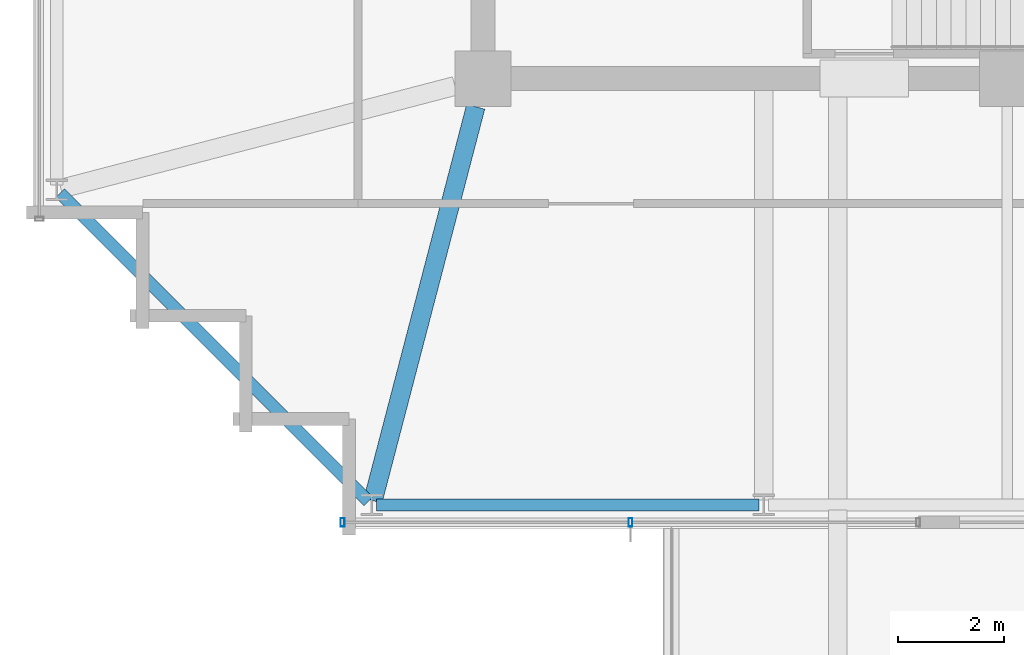
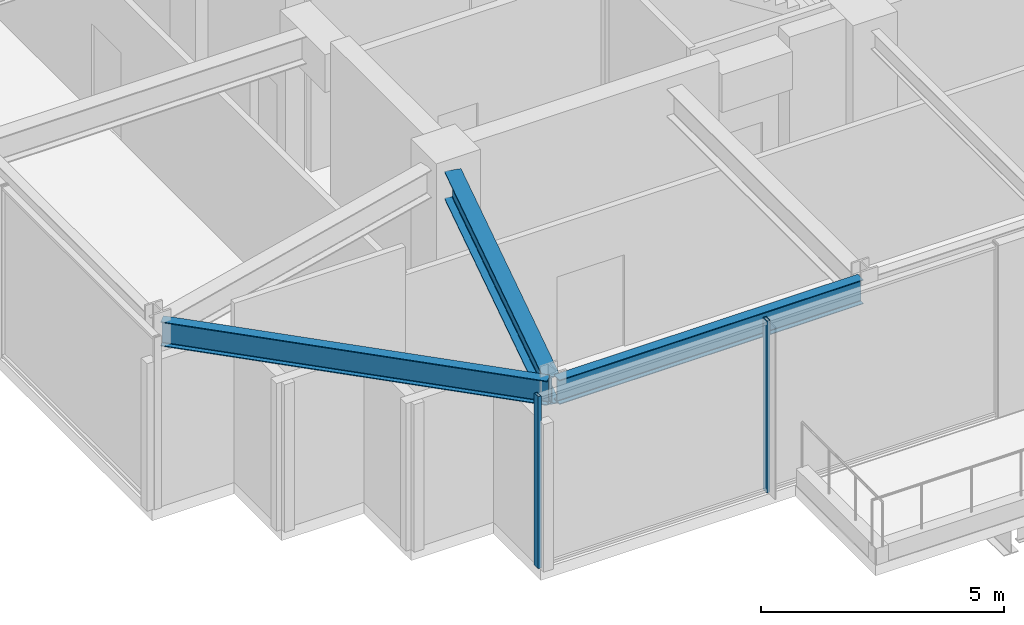
# One storey, part 2 of 30: 3 beams, 2 members, 1 element without a shape of its own.
"""IFC4 building model written with IfcOpenShell, lengths in metres."""

from ifc_helpers import new_model, si_unit, direction, frame, origin, origin_2d, place, context, subcontext, project, spatial, hollow_rectangle, i_section, extrude, material, material_profile, profile_set, type_object, element, aggregate, save


model = new_model("IFC4")

# Units and contexts
model_context = context("Model", 3, precision=1e-05, world=origin(), true_north=direction((0.0, 1.0)))
body_context = subcontext(model_context, "Body", "Model", "MODEL_VIEW")
ifc_project = project(units=[si_unit("LENGTHUNIT", "METRE"), si_unit("AREAUNIT", "SQUARE_METRE"), si_unit("VOLUMEUNIT", "CUBIC_METRE"), si_unit("PLANEANGLEUNIT", "RADIAN"), si_unit("MASSUNIT", "GRAM", prefix="KILO")], contexts=[model_context])

# Site, building, storey
site_placement = place(None, origin())
site = spatial("IfcSite", under=ifc_project, at=site_placement, CompositionType="ELEMENT")
building_placement = place(site_placement, origin())
building = spatial("IfcBuilding", under=site, at=building_placement, Name="Kolvaren Belvedere", CompositionType="ELEMENT")
storey_placement = place(building_placement, frame((0.0, 0.0, 262.800048828125)))
storey = spatial("IfcBuildingStorey", under=building, at=storey_placement, Name="L76", CompositionType="ELEMENT", Elevation=262.800048828125)

# Beams
ifc_material_1 = material(Name="Structural steel ASTM A992 Grade 50", Category="steel")
ifc_material_profile_1 = material_profile(ifc_material_1, i_section(OverallWidth=0.35498046875, OverallDepth=0.696044921875, WebThickness=0.015380859375, FlangeThickness=0.02490234375, FilletRadius=0.02197265625, at=origin_2d()), Name="W27X146")
ifc_profile_set_1 = profile_set([ifc_material_profile_1], Name="Structural steel ASTM A992 Grade 50")
beam_type_1 = type_object("IfcBeamType", Name="BM-GIRD-W27X146", PredefinedType="BEAM", material=ifc_profile_set_1)
beam_1_placement = place(storey_placement, frame((-10.038818359375, -10.43212890625, 3.971923828125), z_axis=(-0.252430946281, -0.967614911708, 0.0), x_axis=(0.967614911708, -0.252430946281, 0.0)))
element("IfcBeam", 1, at=beam_1_placement, inside=storey, type_object=beam_type_1, Name="L76 Corner Core-to-Perimeter Girder CC1-S1", PredefinedType="BEAM", context=body_context, shape_type="SweptSolid", body=[
    extrude(i_section(OverallWidth=0.35498046875, OverallDepth=0.696044921875, WebThickness=0.015380859375, FlangeThickness=0.02490234375, FilletRadius=0.02197265625, at=origin_2d()), origin(), (0.0, 0.0, 1.0), 7.68798828125),
])
ifc_material_2 = material(Name="Structural steel ASTM A992 Grade 50", Category="steel")
ifc_material_profile_2 = material_profile(ifc_material_2, i_section(OverallWidth=0.22900390625, OverallDepth=0.612060546875, WebThickness=0.011962890625, FlangeThickness=0.01953125, FilletRadius=0.01806640625, at=origin_2d()), Name="W24X84")
ifc_profile_set_2 = profile_set([ifc_material_profile_2], Name="Structural steel ASTM A992 Grade 50")
beam_type_2 = type_object("IfcBeamType", Name="BM-SPAN-W24X84", PredefinedType="SPANDREL", material=ifc_profile_set_2)
beam_2_placement = place(storey_placement, frame((-11.908447265625, -17.949951171875, 4.013916015625), z_axis=(1.0, 0.0, 0.0), x_axis=(0.0, 1.0, 0.0)))
element("IfcBeam", 2, at=beam_2_placement, inside=storey, type_object=beam_type_2, Name="L76 Perimeter Spandrel S1-S2", PredefinedType="SPANDREL", context=body_context, shape_type="SweptSolid", body=[
    extrude(i_section(OverallWidth=0.22900390625, OverallDepth=0.612060546875, WebThickness=0.011962890625, FlangeThickness=0.01953125, FilletRadius=0.01806640625, at=origin_2d()), origin(), (0.0, 0.0, 1.0), 7.216796875),
])
beam_3_placement = place(storey_placement, frame((-17.88525390625, -12.064697265625, 4.013916015625), z_axis=(0.707106781187, -0.707106781187, 0.0), x_axis=(0.707106781187, 0.707106781187, 0.0)))
element("IfcBeam", 3, at=beam_3_placement, inside=storey, type_object=beam_type_2, Name="L76 Perimeter Spandrel W1-S1", PredefinedType="SPANDREL", context=body_context, shape_type="SweptSolid", body=[
    extrude(i_section(OverallWidth=0.22900390625, OverallDepth=0.612060546875, WebThickness=0.011962890625, FlangeThickness=0.01953125, FilletRadius=0.01806640625, at=origin_2d()), origin(), (0.0, 0.0, 1.0), 8.2314453125),
])

# Curtain wall, members
ifc_material_3 = material(Name="Anodised pale-metal aluminium AA 6063-T6", Category="aluminium")
curtain_wall_type = type_object("IfcCurtainWallType", Name="CW-CRN-OBS", PredefinedType="NOTDEFINED", material=ifc_material_3)
curtain_wall_placement = place(storey_placement, origin())
curtain_wall = element("IfcCurtainWall", 4, at=curtain_wall_placement, inside=storey, type_object=curtain_wall_type, Name="L76 Unitised Curtain Wall FCW-L76-S2", PredefinedType="NOTDEFINED")
ifc_material_4 = material(Name="Anodised pale-metal aluminium AA 6063-T6", Category="aluminium")
ifc_material_profile_3 = material_profile(ifc_material_4, hollow_rectangle(XDim=0.074951171875, YDim=0.159912109375, WallThickness=0.00439453125, at=origin_2d()), Name="ALU-MUL-160X75")
ifc_profile_set_3 = profile_set([ifc_material_profile_3], Name="Anodised pale-metal aluminium AA 6063-T6")
member_type = type_object("IfcMemberType", Name="CW-MUL-160", PredefinedType="MULLION", material=ifc_profile_set_3)
member_1_placement = place(storey_placement, frame((-7.114990234375, -18.280029296875, 0.0), z_axis=(0.0, 0.0, 1.0), x_axis=(1.0, 0.0, 0.0)))
member_1 = element("IfcMember", 5, at=member_1_placement, type_object=member_type, Name="FCW-L76-S2 Unitised Mullion 2", PredefinedType="MULLION", context=body_context, shape_type="SweptSolid", body=[
    extrude(hollow_rectangle(XDim=0.074951171875, YDim=0.159912109375, WallThickness=0.00439453125, at=origin_2d()), origin(), (0.0, 0.0, 1.0), 4.320068359375),
])
member_2_placement = place(storey_placement, frame((-12.550048828125, -18.280029296875, 0.0), z_axis=(0.0, 0.0, 1.0), x_axis=(1.0, 0.0, 0.0)))
member_2 = element("IfcMember", 6, at=member_2_placement, type_object=member_type, Name="FCW-L76-S2 Unitised Mullion 3", PredefinedType="MULLION", context=body_context, shape_type="SweptSolid", body=[
    extrude(hollow_rectangle(XDim=0.074951171875, YDim=0.159912109375, WallThickness=0.00439453125, at=origin_2d()), origin(), (0.0, 0.0, 1.0), 4.320068359375),
])
aggregate(curtain_wall, [member_1, member_2])

save(model, "model.ifc")
